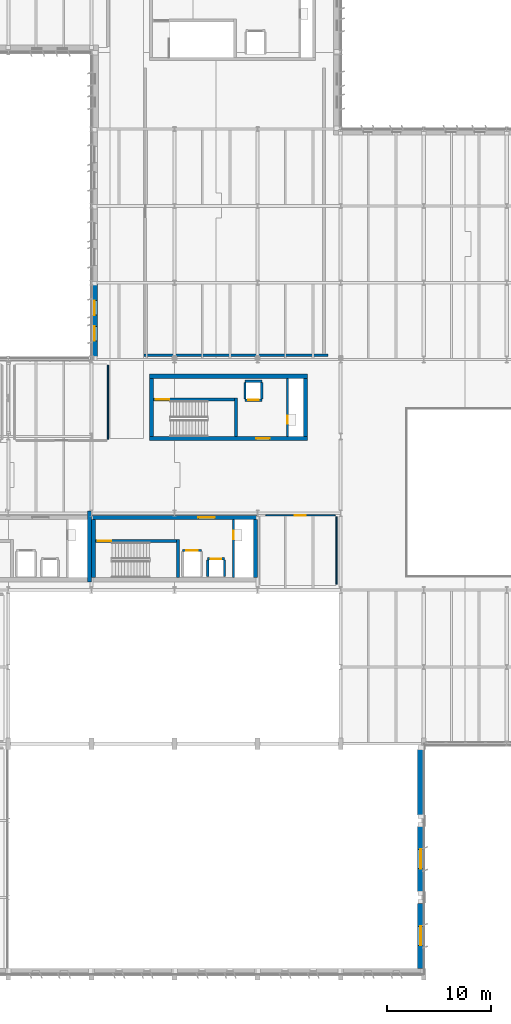
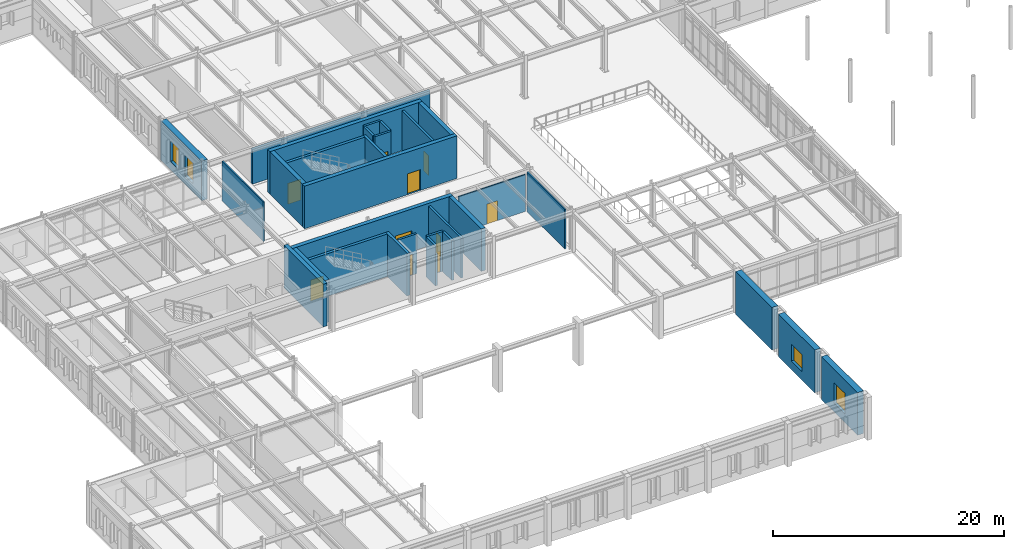
# One storey, part 43 of 75: 30 walls, 10 doors, 4 windows, 14 openings.
"""IFC4 building model written with IfcOpenShell, lengths in metres."""

from ifc_helpers import new_model, si_unit, direction, frame, frame_2d, origin, place, context, subcontext, project, spatial, rectangle, extrude, material, layer, layer_set, type_object, element, fill, save


model = new_model("IFC4")

# Units and contexts
model_context = context("Model", 3, precision=1e-05, world=origin(), true_north=direction((0.0, 1.0)))
body_context = subcontext(model_context, "Body", "Model", "MODEL_VIEW")
ifc_project = project(units=[si_unit("LENGTHUNIT", "METRE"), si_unit("AREAUNIT", "SQUARE_METRE"), si_unit("VOLUMEUNIT", "CUBIC_METRE"), si_unit("PLANEANGLEUNIT", "RADIAN"), si_unit("MASSUNIT", "GRAM", prefix="KILO")], contexts=[model_context])

# Site, building, storey
site_placement = place(None, origin())
site = spatial("IfcSite", under=ifc_project, at=site_placement, CompositionType="ELEMENT")
building_placement = place(site_placement, origin())
building = spatial("IfcBuilding", under=site, at=building_placement, Name="Valkorina Park Police Headquarters", CompositionType="ELEMENT")
storey_placement = place(building_placement, frame((0.0, 0.0, 5.39990234375)))
storey = spatial("IfcBuildingStorey", under=building, at=storey_placement, Name="L02", CompositionType="ELEMENT", Elevation=5.39990234375)

# Wall, opening, door
ifc_material_1 = material(Name="Autoclaved aerated concrete masonry", Category="masonry")
ifc_layer_1 = layer(ifc_material_1, 0.219970703125)
ifc_layer_set_1 = layer_set([ifc_layer_1], Name="Autoclaved aerated concrete masonry")
wall_type_1 = type_object("IfcWallType", Name="WL-CHASE-220-EI60", PredefinedType="PLUMBINGWALL", material=ifc_layer_set_1)
wall_1_placement = place(storey_placement, frame((41.590087890625, 40.81005859375, 0.0), z_axis=(0.0, 0.0, 1.0), x_axis=(1.0, 0.0, 0.0)))
wall_1 = element("IfcWall", 1, at=wall_1_placement, inside=storey, type_object=wall_type_1, Name="Lift LF-02 L02 Shaft Front Wall", PredefinedType="PLUMBINGWALL", context=body_context, shape_type="SweptSolid", body=[
    extrude(rectangle(XDim=1.81982421875, YDim=0.219970703125, at=frame_2d((0.909912109375, 0.0))), origin(), (0.0, 0.0, 1.0), 4.2001953125),
])
opening_1_placement = place(wall_1_placement, frame((0.360107421875, 0.0, 0.0)))
opening_1 = element("IfcOpeningElement", 2, at=opening_1_placement, cuts=wall_1, Name="Opening LD-01", PredefinedType="OPENING", context=body_context, shape_type="SweptSolid", body=[
    extrude(rectangle(XDim=1.10009765625, YDim=2.199951171875, at=frame_2d((0.550048828125, 1.10009765625))), frame((0.0, 0.1201171875, 0.0), z_axis=(0.0, -1.0, 0.0), x_axis=(1.0, 0.0, 0.0)), (0.0, 0.0, 1.0), 0.239990234375),
])
ifc_material_2 = material(Name="Stainless steel EN 1.4404", Category="steel")
ifc_layer_2 = layer(ifc_material_2, 0.050048828125)
ifc_layer_set_2 = layer_set([ifc_layer_2], Name="Stainless steel EN 1.4404")
door_type_1 = type_object("IfcDoorType", Name="DR-LIFT-FF-1100x2200", OperationType="NOTDEFINED", PredefinedType="DOOR", material=ifc_layer_set_2)
door_1_placement = place(opening_1_placement, origin())
door_1 = element("IfcDoor", 3, at=door_1_placement, inside=storey, type_object=door_type_1, Name="Lift Landing Door LF-02-L02", OperationType="DOUBLE_DOOR_SLIDING", OverallHeight=2.199951171875, OverallWidth=1.10009765625, PredefinedType="DOOR", context=body_context, shape_type="SweptSolid", body=[
    extrude(rectangle(XDim=1.10009765625, YDim=2.199951171875, at=frame_2d((0.550048828125, 1.10009765625))), frame((0.0, 0.02490234375, 0.0), z_axis=(0.0, -1.0, 0.0), x_axis=(1.0, 0.0, 0.0)), (0.0, 0.0, 1.0), 0.050048828125),
])
fill(opening_1, door_1)

wall_2_placement = place(storey_placement, frame((43.989990234375, 40.010009765625, 0.0), z_axis=(0.0, 0.0, 1.0), x_axis=(1.0, 0.0, 0.0)))
wall_2 = element("IfcWall", 4, at=wall_2_placement, inside=storey, type_object=wall_type_1, Name="Lift LF-04 L02 Shaft Front Wall", PredefinedType="PLUMBINGWALL", context=body_context, shape_type="SweptSolid", body=[
    extrude(rectangle(XDim=1.6201171875, YDim=0.219970703125, at=frame_2d((0.81005859375, 0.0))), origin(), (0.0, 0.0, 1.0), 4.2001953125),
])
opening_2_placement = place(wall_2_placement, frame((0.31005859375, 0.0, 0.0)))
opening_2 = element("IfcOpeningElement", 5, at=opening_2_placement, cuts=wall_2, Name="Opening LD-02", PredefinedType="OPENING", context=body_context, shape_type="SweptSolid", body=[
    extrude(rectangle(XDim=1.0, YDim=2.199951171875, at=frame_2d((0.5, 1.10009765625))), frame((0.0, 0.1201171875, 0.0), z_axis=(0.0, -1.0, 0.0), x_axis=(1.0, 0.0, 0.0)), (0.0, 0.0, 1.0), 0.239990234375),
])
ifc_layer_3 = layer(ifc_material_2, 0.050048828125)
ifc_layer_set_3 = layer_set([ifc_layer_3], Name="Stainless steel EN 1.4404")
door_type_2 = type_object("IfcDoorType", Name="DR-LIFT-PAX-1000x2200", OperationType="NOTDEFINED", PredefinedType="DOOR", material=ifc_layer_set_3)
door_2_placement = place(opening_2_placement, origin())
door_2 = element("IfcDoor", 6, at=door_2_placement, inside=storey, type_object=door_type_2, Name="Lift Landing Door LF-04-L02", OperationType="DOUBLE_DOOR_SLIDING", OverallHeight=2.199951171875, OverallWidth=1.0, PredefinedType="DOOR", context=body_context, shape_type="SweptSolid", body=[
    extrude(rectangle(XDim=1.0, YDim=2.199951171875, at=frame_2d((0.5, 1.10009765625))), frame((0.0, 0.02490234375, 0.0), z_axis=(0.0, -1.0, 0.0), x_axis=(1.0, 0.0, 0.0)), (0.0, 0.0, 1.0), 0.050048828125),
])
fill(opening_2, door_2)

# Walls
for number, where, z_axis, x_axis, name in (
    (7, (43.989990234375, 38.300048828125, 0.0), (0.0, 0.0, 1.0), (0.0, 1.0, 0.0), "Lift LF-04 L02 Shaft Side Wall W"),
    (8, (45.610107421875, 38.300048828125, 0.0), (0.0, 0.0, 1.0), (0.0, 1.0, 0.0), "Lift LF-04 L02 Shaft Side Wall E"),
):
    element("IfcWall", number, at=place(storey_placement, frame(where, z_axis=z_axis, x_axis=x_axis)), inside=storey, type_object=wall_type_1, Name=name, PredefinedType="PLUMBINGWALL", context=body_context, shape_type="SweptSolid", body=[
        extrude(rectangle(XDim=1.599853515625, YDim=0.219970703125, at=frame_2d((0.7998046875, 0.0))), origin(), (0.0, 0.0, 1.0), 4.2001953125),
    ])

# Wall, opening, door
wall_3_placement = place(storey_placement, frame((46.489990234375, 38.199951171875, 0.0), z_axis=(0.0, 0.0, 1.0), x_axis=(0.0, 1.0, 0.0)))
wall_3 = element("IfcWall", 9, at=wall_3_placement, inside=storey, type_object=wall_type_1, Name="Core C2 L02 Riser Shaft West Wall", PredefinedType="PLUMBINGWALL", context=body_context, shape_type="SweptSolid", body=[
    extrude(rectangle(XDim=5.60009765625, YDim=0.219970703125, at=frame_2d((2.800048828125, 0.0))), origin(), (0.0, 0.0, 1.0), 4.2001953125),
])
opening_3_placement = place(wall_3_placement, frame((3.699951171875, 0.0, 0.0)))
opening_3 = element("IfcOpeningElement", 10, at=opening_3_placement, cuts=wall_3, Name="Opening ID-01", PredefinedType="OPENING", context=body_context, shape_type="SweptSolid", body=[
    extrude(rectangle(XDim=0.800048828125, YDim=2.10009765625, at=frame_2d((0.39990234375, 1.050048828125))), frame((0.0, 0.1201171875, 0.0), z_axis=(0.0, -1.0, 0.0), x_axis=(1.0, 0.0, 0.0)), (0.0, 0.0, 1.0), 0.239990234375),
])
ifc_material_3 = material(Name="Galvanized steel door leaf", Category="steel")
ifc_layer_4 = layer(ifc_material_3, 0.050048828125)
ifc_layer_set_4 = layer_set([ifc_layer_4], Name="Galvanized steel door leaf")
door_type_3 = type_object("IfcDoorType", Name="DR-INT-RISER-800x2100", OperationType="NOTDEFINED", PredefinedType="DOOR", material=ifc_layer_set_4)
door_3_placement = place(opening_3_placement, origin())
door_3 = element("IfcDoor", 11, at=door_3_placement, inside=storey, type_object=door_type_3, Name="Riser Shaft Access Door C2-L02", OperationType="SINGLE_SWING_RIGHT", OverallHeight=2.10009765625, OverallWidth=0.800048828125, PredefinedType="DOOR", context=body_context, shape_type="SweptSolid", body=[
    extrude(rectangle(XDim=0.800048828125, YDim=2.10009765625, at=frame_2d((0.39990234375, 1.050048828125))), frame((0.0, 0.02490234375, 0.0), z_axis=(0.0, -1.0, 0.0), x_axis=(1.0, 0.0, 0.0)), (0.0, 0.0, 1.0), 0.050048828125),
])
fill(opening_3, door_3)

wall_4_placement = place(storey_placement, frame((47.590087890625, 55.2900390625, 0.0), z_axis=(0.0, 0.0, 1.0), x_axis=(1.0, 0.0, 0.0)))
wall_4 = element("IfcWall", 12, at=wall_4_placement, inside=storey, type_object=wall_type_1, Name="Lift LF-05 L02 Shaft Front Wall", PredefinedType="PLUMBINGWALL", context=body_context, shape_type="SweptSolid", body=[
    extrude(rectangle(XDim=1.619873046875, YDim=0.219970703125, at=frame_2d((0.81005859375, 0.0))), origin(), (0.0, 0.0, 1.0), 4.2001953125),
])
opening_4_placement = place(wall_4_placement, frame((0.31005859375, 0.0, 0.0)))
opening_4 = element("IfcOpeningElement", 13, at=opening_4_placement, cuts=wall_4, Name="Opening LD-02", PredefinedType="OPENING", context=body_context, shape_type="SweptSolid", body=[
    extrude(rectangle(XDim=1.0, YDim=2.199951171875, at=frame_2d((0.5, 1.10009765625))), frame((0.0, 0.1201171875, 0.0), z_axis=(0.0, -1.0, 0.0), x_axis=(1.0, 0.0, 0.0)), (0.0, 0.0, 1.0), 0.239990234375),
])
door_4_placement = place(opening_4_placement, origin())
door_4 = element("IfcDoor", 14, at=door_4_placement, inside=storey, type_object=door_type_2, Name="Lift Landing Door LF-05-L02", OperationType="DOUBLE_DOOR_SLIDING", OverallHeight=2.199951171875, OverallWidth=1.0, PredefinedType="DOOR", context=body_context, shape_type="SweptSolid", body=[
    extrude(rectangle(XDim=1.0, YDim=2.199951171875, at=frame_2d((0.5, 1.10009765625))), frame((0.0, 0.02490234375, 0.0), z_axis=(0.0, -1.0, 0.0), x_axis=(1.0, 0.0, 0.0)), (0.0, 0.0, 1.0), 0.050048828125),
])
fill(opening_4, door_4)

# Walls
wall_5_placement = place(storey_placement, frame((47.590087890625, 57.110107421875, 0.0), z_axis=(0.0, 0.0, 1.0), x_axis=(1.0, 0.0, 0.0)))
element("IfcWall", 15, at=wall_5_placement, inside=storey, type_object=wall_type_1, Name="Lift LF-05 L02 Shaft Back Wall", PredefinedType="PLUMBINGWALL", context=body_context, shape_type="SweptSolid", body=[
    extrude(rectangle(XDim=1.619873046875, YDim=0.219970703125, at=frame_2d((0.81005859375, 0.0))), origin(), (0.0, 0.0, 1.0), 4.2001953125),
])
for number, where, z_axis, x_axis, name in (
    (16, (47.590087890625, 55.39990234375, 0.0), (0.0, 0.0, 1.0), (0.0, 1.0, 0.0), "Lift LF-05 L02 Shaft Side Wall W"),
    (17, (49.2099609375, 55.39990234375, 0.0), (0.0, 0.0, 1.0), (0.0, 1.0, 0.0), "Lift LF-05 L02 Shaft Side Wall E"),
):
    element("IfcWall", number, at=place(storey_placement, frame(where, z_axis=z_axis, x_axis=x_axis)), inside=storey, type_object=wall_type_1, Name=name, PredefinedType="PLUMBINGWALL", context=body_context, shape_type="SweptSolid", body=[
        extrude(rectangle(XDim=1.60009765625, YDim=0.219970703125, at=frame_2d((0.800048828125, 0.0))), origin(), (0.0, 0.0, 1.0), 4.2001953125),
    ])

# Wall, opening, door
wall_6_placement = place(storey_placement, frame((51.68994140625, 51.800048828125, 0.0), z_axis=(0.0, 0.0, 1.0), x_axis=(0.0, 1.0, 0.0)))
wall_6 = element("IfcWall", 18, at=wall_6_placement, inside=storey, type_object=wall_type_1, Name="Core C3 L02 Riser Shaft West Wall", PredefinedType="PLUMBINGWALL", context=body_context, shape_type="SweptSolid", body=[
    extrude(rectangle(XDim=5.599853515625, YDim=0.219970703125, at=frame_2d((2.7998046875, 0.0))), origin(), (0.0, 0.0, 1.0), 4.2001953125),
])
opening_5_placement = place(wall_6_placement, frame((1.199951171875, 0.0, 0.0)))
opening_5 = element("IfcOpeningElement", 19, at=opening_5_placement, cuts=wall_6, Name="Opening ID-01", PredefinedType="OPENING", context=body_context, shape_type="SweptSolid", body=[
    extrude(rectangle(XDim=0.800048828125, YDim=2.10009765625, at=frame_2d((0.39990234375, 1.050048828125))), frame((0.0, 0.1201171875, 0.0), z_axis=(0.0, -1.0, 0.0), x_axis=(1.0, 0.0, 0.0)), (0.0, 0.0, 1.0), 0.239990234375),
])
door_5_placement = place(opening_5_placement, origin())
door_5 = element("IfcDoor", 20, at=door_5_placement, inside=storey, type_object=door_type_3, Name="Riser Shaft Access Door C3-L02", OperationType="SINGLE_SWING_RIGHT", OverallHeight=2.10009765625, OverallWidth=0.800048828125, PredefinedType="DOOR", context=body_context, shape_type="SweptSolid", body=[
    extrude(rectangle(XDim=0.800048828125, YDim=2.10009765625, at=frame_2d((0.39990234375, 1.050048828125))), frame((0.0, 0.02490234375, 0.0), z_axis=(0.0, -1.0, 0.0), x_axis=(1.0, 0.0, 0.0)), (0.0, 0.0, 1.0), 0.050048828125),
])
fill(opening_5, door_5)

# Wall
ifc_material_4 = material(Name="Concrete C40/50", Category="concrete")
ifc_layer_5 = layer(ifc_material_4, 0.39990234375)
ifc_layer_set_5 = layer_set([ifc_layer_5], Name="Concrete C40/50")
wall_type_2 = type_object("IfcWallType", Name="WL-CORE-400-REI180", PredefinedType="SHEAR", material=ifc_layer_set_5)
wall_7_placement = place(storey_placement, frame((32.60009765625, 37.800048828125, 0.0), z_axis=(0.0, 0.0, 1.0), x_axis=(0.0, 1.0, 0.0)))
element("IfcWall", 21, at=wall_7_placement, inside=storey, type_object=wall_type_2, Name="Core C1 L02 Shear Wall E", PredefinedType="SHEAR", context=body_context, shape_type="SweptSolid", body=[
    extrude(rectangle(XDim=6.800048828125, YDim=0.39990234375, at=frame_2d((3.39990234375, 0.0))), origin(), (0.0, 0.0, 1.0), 4.4951171875),
])

# Wall, opening, door
wall_8_placement = place(storey_placement, frame((32.800048828125, 44.0, 0.0), z_axis=(0.0, 0.0, 1.0), x_axis=(1.0, 0.0, 0.0)))
wall_8 = element("IfcWall", 22, at=wall_8_placement, inside=storey, type_object=wall_type_2, Name="Core C2 L02 Shear Wall N", PredefinedType="SHEAR", context=body_context, shape_type="SweptSolid", body=[
    extrude(rectangle(XDim=16.0, YDim=0.39990234375, at=frame_2d((8.0, 0.0))), origin(), (0.0, 0.0, 1.0), 4.4951171875),
])
opening_6_placement = place(wall_8_placement, frame((10.300048828125, 0.0, 0.0)))
opening_6 = element("IfcOpeningElement", 23, at=opening_6_placement, cuts=wall_8, Name="Opening FD-04", PredefinedType="OPENING", context=body_context, shape_type="SweptSolid", body=[
    extrude(rectangle(XDim=1.60009765625, YDim=2.199951171875, at=frame_2d((0.800048828125, 1.10009765625))), frame((0.0, 0.2099609375, 0.0), z_axis=(0.0, -1.0, 0.0), x_axis=(1.0, 0.0, 0.0)), (0.0, 0.0, 1.0), 0.419921875),
])
ifc_layer_6 = layer(ifc_material_3, 0.050048828125)
ifc_layer_set_6 = layer_set([ifc_layer_6], Name="Galvanized steel door leaf")
door_type_4 = type_object("IfcDoorType", Name="DR-FIRE-FFL-1600x2200", OperationType="NOTDEFINED", PredefinedType="DOOR", material=ifc_layer_set_6)
door_6_placement = place(opening_6_placement, origin())
door_6 = element("IfcDoor", 24, at=door_6_placement, inside=storey, type_object=door_type_4, Name="Door D-L02-FFL-C2 (Firefighting Lift Lobby Door)", OperationType="DOUBLE_DOOR_SINGLE_SWING", OverallHeight=2.199951171875, OverallWidth=1.60009765625, PredefinedType="DOOR", context=body_context, shape_type="SweptSolid", body=[
    extrude(rectangle(XDim=1.60009765625, YDim=2.199951171875, at=frame_2d((0.800048828125, 1.10009765625))), frame((0.0, 0.02490234375, 0.0), z_axis=(0.0, -1.0, 0.0), x_axis=(1.0, 0.0, 0.0)), (0.0, 0.0, 1.0), 0.050048828125),
])
fill(opening_6, door_6)

# Walls
for number, where, z_axis, x_axis, name in (
    (25, (33.0, 38.199951171875, 0.0), (0.0, 0.0, 1.0), (0.0, 1.0, 0.0), "Core C2 L02 Shear Wall W"),
    (26, (48.60009765625, 38.199951171875, 0.0), (0.0, 0.0, 1.0), (0.0, 1.0, 0.0), "Core C2 L02 Shear Wall E"),
):
    element("IfcWall", number, at=place(storey_placement, frame(where, z_axis=z_axis, x_axis=x_axis)), inside=storey, type_object=wall_type_2, Name=name, PredefinedType="SHEAR", context=body_context, shape_type="SweptSolid", body=[
        extrude(rectangle(XDim=5.60009765625, YDim=0.39990234375, at=frame_2d((2.800048828125, 0.0))), origin(), (0.0, 0.0, 1.0), 4.4951171875),
    ])

# Wall, opening, door
wall_9_placement = place(storey_placement, frame((38.39990234375, 51.60009765625, 0.0), z_axis=(0.0, 0.0, 1.0), x_axis=(1.0, 0.0, 0.0)))
wall_9 = element("IfcWall", 27, at=wall_9_placement, inside=storey, type_object=wall_type_2, Name="Core C3 L02 Shear Wall S", PredefinedType="SHEAR", context=body_context, shape_type="SweptSolid", body=[
    extrude(rectangle(XDim=15.2001953125, YDim=0.39990234375, at=frame_2d((7.60009765625, 0.0))), origin(), (0.0, 0.0, 1.0), 4.4951171875),
])
opening_7_placement = place(wall_9_placement, frame((10.25, 0.0, 0.0)))
opening_7 = element("IfcOpeningElement", 28, at=opening_7_placement, cuts=wall_9, Name="Opening FD-03", PredefinedType="OPENING", context=body_context, shape_type="SweptSolid", body=[
    extrude(rectangle(XDim=1.300048828125, YDim=2.199951171875, at=frame_2d((0.64990234375, 1.10009765625))), frame((0.0, 0.2099609375, 0.0), z_axis=(0.0, -1.0, 0.0), x_axis=(1.0, 0.0, 0.0)), (0.0, 0.0, 1.0), 0.419921875),
])
ifc_layer_7 = layer(ifc_material_3, 0.050048828125)
ifc_layer_set_7 = layer_set([ifc_layer_7], Name="Galvanized steel door leaf")
door_type_5 = type_object("IfcDoorType", Name="DR-FIRE-STAIR-1300x2200", OperationType="NOTDEFINED", PredefinedType="DOOR", material=ifc_layer_set_7)
door_7_placement = place(opening_7_placement, origin())
door_7 = element("IfcDoor", 29, at=door_7_placement, inside=storey, type_object=door_type_5, Name="Door D-L02-LBY-C3 (Core C3 Lobby Fire Door)", OperationType="SINGLE_SWING_LEFT", OverallHeight=2.199951171875, OverallWidth=1.300048828125, PredefinedType="DOOR", context=body_context, shape_type="SweptSolid", body=[
    extrude(rectangle(XDim=1.300048828125, YDim=2.199951171875, at=frame_2d((0.64990234375, 1.10009765625))), frame((0.0, 0.02490234375, 0.0), z_axis=(0.0, -1.0, 0.0), x_axis=(1.0, 0.0, 0.0)), (0.0, 0.0, 1.0), 0.050048828125),
])
fill(opening_7, door_7)

# Walls
wall_10_placement = place(storey_placement, frame((38.39990234375, 57.60009765625, 0.0), z_axis=(0.0, 0.0, 1.0), x_axis=(1.0, 0.0, 0.0)))
element("IfcWall", 30, at=wall_10_placement, inside=storey, type_object=wall_type_2, Name="Core C3 L02 Shear Wall N", PredefinedType="SHEAR", context=body_context, shape_type="SweptSolid", body=[
    extrude(rectangle(XDim=15.2001953125, YDim=0.39990234375, at=frame_2d((7.60009765625, 0.0))), origin(), (0.0, 0.0, 1.0), 4.4951171875),
])
for number, where, z_axis, x_axis, name in (
    (31, (38.60009765625, 51.800048828125, 0.0), (0.0, 0.0, 1.0), (0.0, 1.0, 0.0), "Core C3 L02 Shear Wall W"),
    (32, (53.39990234375, 51.800048828125, 0.0), (0.0, 0.0, 1.0), (0.0, 1.0, 0.0), "Core C3 L02 Shear Wall E"),
):
    element("IfcWall", number, at=place(storey_placement, frame(where, z_axis=z_axis, x_axis=x_axis)), inside=storey, type_object=wall_type_2, Name=name, PredefinedType="SHEAR", context=body_context, shape_type="SweptSolid", body=[
        extrude(rectangle(XDim=5.599853515625, YDim=0.39990234375, at=frame_2d((2.7998046875, 0.0))), origin(), (0.0, 0.0, 1.0), 4.4951171875),
    ])
ifc_layer_8 = layer(ifc_material_4, 0.25)
ifc_layer_set_8 = layer_set([ifc_layer_8], Name="Concrete C40/50")
wall_type_3 = type_object("IfcWallType", Name="WL-CUST-250-REI120", PredefinedType="SOLIDWALL", material=ifc_layer_set_8)
wall_11_placement = place(storey_placement, frame((37.875, 59.60009765625, 0.0), z_axis=(0.0, 0.0, 1.0), x_axis=(1.0, 0.0, 0.0)))
element("IfcWall", 33, at=wall_11_placement, inside=storey, type_object=wall_type_3, Name="L02 Interior Partition 0138 (L02-CUS-MED)", PredefinedType="SOLIDWALL", context=body_context, shape_type="SweptSolid", body=[
    extrude(rectangle(XDim=17.715087890625, YDim=0.25, at=frame_2d((8.857421875, 0.0))), origin(), (0.0, 0.0, 1.0), 3.66015625),
])

# Wall, openings, windows
ifc_material_5 = material(Name="Concrete C35/45", Category="concrete")
ifc_layer_9 = layer(ifc_material_5, 0.580078125)
ifc_layer_set_9 = layer_set([ifc_layer_9], Name="Concrete C35/45")
wall_type_4 = type_object("IfcWallType", Name="WL-EXT-BOARD-580", PredefinedType="STANDARD", material=ifc_layer_set_9)
wall_12_placement = place(storey_placement, frame((33.090087890625, 59.510009765625, 0.0), z_axis=(0.0, 0.0, 1.0), x_axis=(0.0, 1.0, 0.0)))
wall_12 = element("IfcWall", 34, at=wall_12_placement, inside=storey, type_object=wall_type_4, Name="L02 Architectural Concrete Exterior Wall 0113", PredefinedType="STANDARD", context=body_context, shape_type="SweptSolid", body=[
    extrude(rectangle(XDim=7.090087890625, YDim=0.580078125, at=frame_2d((3.544921875, 0.0))), origin(), (0.0, 0.0, 1.0), 4.170166015625),
])
opening_8_placement = place(wall_12_placement, frame((1.49365234375, 0.0, 0.89990234375)))
opening_8 = element("IfcOpeningElement", 35, at=opening_8_placement, cuts=wall_12, Name="Opening WN-25", PredefinedType="OPENING", context=body_context, shape_type="SweptSolid", body=[
    extrude(rectangle(XDim=1.39990234375, YDim=2.14990234375, at=frame_2d((0.699951171875, 1.074951171875))), frame((0.0, 0.300048828125, 0.0), z_axis=(0.0, -1.0, 0.0), x_axis=(1.0, 0.0, 0.0)), (0.0, 0.0, 1.0), 0.60009765625),
])
opening_9_placement = place(wall_12_placement, frame((3.96142578125, 0.0, 0.89990234375)))
opening_9 = element("IfcOpeningElement", 36, at=opening_9_placement, cuts=wall_12, Name="Opening WN-25", PredefinedType="OPENING", context=body_context, shape_type="SweptSolid", body=[
    extrude(rectangle(XDim=1.39990234375, YDim=2.14990234375, at=frame_2d((0.699951171875, 1.074951171875))), frame((0.0, 0.300048828125, 0.0), z_axis=(0.0, -1.0, 0.0), x_axis=(1.0, 0.0, 0.0)), (0.0, 0.0, 1.0), 0.60009765625),
])
ifc_material_6 = material(Name="Triple low-E insulated glazing", Category="glass")
ifc_layer_10 = layer(ifc_material_6, 0.06005859375)
ifc_layer_set_10 = layer_set([ifc_layer_10], Name="Triple low-E insulated glazing")
window_type_1 = type_object("IfcWindowType", Name="WN-LAB-1400x2150", PartitioningType="SINGLE_PANEL", PredefinedType="WINDOW", material=ifc_layer_set_10)
window_1_placement = place(opening_8_placement, origin())
window_1 = element("IfcWindow", 37, at=window_1_placement, inside=storey, type_object=window_type_1, Name="Window L02-0178", OverallHeight=2.14990234375, OverallWidth=1.39990234375, PartitioningType="SINGLE_PANEL", PredefinedType="WINDOW", context=body_context, shape_type="SweptSolid", body=[
    extrude(rectangle(XDim=1.39990234375, YDim=2.14990234375, at=frame_2d((0.699951171875, 1.074951171875))), frame((0.0, 0.030029296875, 0.0), z_axis=(0.0, -1.0, 0.0), x_axis=(1.0, 0.0, 0.0)), (0.0, 0.0, 1.0), 0.06005859375),
])
fill(opening_8, window_1)
window_2_placement = place(opening_9_placement, origin())
window_2 = element("IfcWindow", 38, at=window_2_placement, inside=storey, type_object=window_type_1, Name="Window L02-0179", OverallHeight=2.14990234375, OverallWidth=1.39990234375, PartitioningType="SINGLE_PANEL", PredefinedType="WINDOW", context=body_context, shape_type="SweptSolid", body=[
    extrude(rectangle(XDim=1.39990234375, YDim=2.14990234375, at=frame_2d((0.699951171875, 1.074951171875))), frame((0.0, 0.030029296875, 0.0), z_axis=(0.0, -1.0, 0.0), x_axis=(1.0, 0.0, 0.0)), (0.0, 0.0, 1.0), 0.06005859375),
])
fill(opening_9, window_2)

# Wall
wall_13_placement = place(storey_placement, frame((64.510009765625, 21.639892578125, 0.0), z_axis=(0.0, 0.0, 1.0), x_axis=(0.0, -1.0, 0.0)))
element("IfcWall", 39, at=wall_13_placement, inside=storey, type_object=wall_type_4, Name="L02 Architectural Concrete Exterior Wall 0183", PredefinedType="STANDARD", context=body_context, shape_type="SweptSolid", body=[
    extrude(rectangle(XDim=6.27978515625, YDim=0.580078125, at=frame_2d((3.139892578125, 0.0))), origin(), (0.0, 0.0, 1.0), 4.5),
])

# Wall, opening, window
wall_14_placement = place(storey_placement, frame((64.510009765625, 14.239990234375, 0.0), z_axis=(0.0, 0.0, 1.0), x_axis=(0.0, -1.0, 0.0)))
wall_14 = element("IfcWall", 40, at=wall_14_placement, inside=storey, type_object=wall_type_4, Name="L02 Architectural Concrete Exterior Wall 0184", PredefinedType="STANDARD", context=body_context, shape_type="SweptSolid", body=[
    extrude(rectangle(XDim=6.280029296875, YDim=0.580078125, at=frame_2d((3.14013671875, 0.0))), origin(), (0.0, 0.0, 1.0), 4.5),
])
opening_10_placement = place(wall_14_placement, frame((2.215087890625, 0.0, 0.89990234375)))
opening_10 = element("IfcOpeningElement", 41, at=opening_10_placement, cuts=wall_14, Name="Opening WN-29", PredefinedType="OPENING", context=body_context, shape_type="SweptSolid", body=[
    extrude(rectangle(XDim=1.85009765625, YDim=1.800048828125, at=frame_2d((0.925048828125, 0.89990234375))), frame((0.0, 0.300048828125, 0.0), z_axis=(0.0, -1.0, 0.0), x_axis=(1.0, 0.0, 0.0)), (0.0, 0.0, 1.0), 0.60009765625),
])
ifc_layer_11 = layer(ifc_material_6, 0.06005859375)
ifc_layer_set_11 = layer_set([ifc_layer_11], Name="Triple low-E insulated glazing")
window_type_2 = type_object("IfcWindowType", Name="WN-OFF-1850x1800", PartitioningType="SINGLE_PANEL", PredefinedType="WINDOW", material=ifc_layer_set_11)
window_3_placement = place(opening_10_placement, origin())
window_3 = element("IfcWindow", 42, at=window_3_placement, inside=storey, type_object=window_type_2, Name="Window L02-0307", OverallHeight=1.800048828125, OverallWidth=1.85009765625, PartitioningType="SINGLE_PANEL", PredefinedType="WINDOW", context=body_context, shape_type="SweptSolid", body=[
    extrude(rectangle(XDim=1.85009765625, YDim=1.800048828125, at=frame_2d((0.925048828125, 0.89990234375))), frame((0.0, 0.030029296875, 0.0), z_axis=(0.0, -1.0, 0.0), x_axis=(1.0, 0.0, 0.0)), (0.0, 0.0, 1.0), 0.06005859375),
])
fill(opening_10, window_3)

wall_15_placement = place(storey_placement, frame((64.510009765625, 6.840087890625, 0.0), z_axis=(0.0, 0.0, 1.0), x_axis=(0.0, -1.0, 0.0)))
wall_15 = element("IfcWall", 43, at=wall_15_placement, inside=storey, type_object=wall_type_4, Name="L02 Architectural Concrete Exterior Wall 0185", PredefinedType="STANDARD", context=body_context, shape_type="SweptSolid", body=[
    extrude(rectangle(XDim=6.280029296875, YDim=0.580078125, at=frame_2d((3.14013671875, 0.0))), origin(), (0.0, 0.0, 1.0), 4.5),
])
opening_11_placement = place(wall_15_placement, frame((2.215087890625, 0.0, 0.89990234375)))
opening_11 = element("IfcOpeningElement", 44, at=opening_11_placement, cuts=wall_15, Name="Opening WN-30", PredefinedType="OPENING", context=body_context, shape_type="SweptSolid", body=[
    extrude(rectangle(XDim=1.85009765625, YDim=2.199951171875, at=frame_2d((0.925048828125, 1.10009765625))), frame((0.0, 0.300048828125, 0.0), z_axis=(0.0, -1.0, 0.0), x_axis=(1.0, 0.0, 0.0)), (0.0, 0.0, 1.0), 0.60009765625),
])
ifc_layer_12 = layer(ifc_material_6, 0.06005859375)
ifc_layer_set_12 = layer_set([ifc_layer_12], Name="Triple low-E insulated glazing")
window_type_3 = type_object("IfcWindowType", Name="WN-OFF-1850x2200", PartitioningType="SINGLE_PANEL", PredefinedType="WINDOW", material=ifc_layer_set_12)
window_4_placement = place(opening_11_placement, origin())
window_4 = element("IfcWindow", 45, at=window_4_placement, inside=storey, type_object=window_type_3, Name="Window L02-0308", OverallHeight=2.199951171875, OverallWidth=1.85009765625, PartitioningType="SINGLE_PANEL", PredefinedType="WINDOW", context=body_context, shape_type="SweptSolid", body=[
    extrude(rectangle(XDim=1.85009765625, YDim=2.199951171875, at=frame_2d((0.925048828125, 1.10009765625))), frame((0.0, 0.030029296875, 0.0), z_axis=(0.0, -1.0, 0.0), x_axis=(1.0, 0.0, 0.0)), (0.0, 0.0, 1.0), 0.06005859375),
])
fill(opening_11, window_4)

# Wall
ifc_material_7 = material(Name="Gypsum plasterboard")
ifc_layer_13 = layer(ifc_material_7, 0.125)
ifc_layer_set_13 = layer_set([ifc_layer_13], Name="Gypsum plasterboard")
wall_type_5 = type_object("IfcWallType", Name="WL-PART-125-EI30", PredefinedType="PARTITIONING", material=ifc_layer_set_13)
wall_16_placement = place(storey_placement, frame((34.39990234375, 51.5400390625, 0.0), z_axis=(0.0, 0.0, 1.0), x_axis=(0.0, 1.0, 0.0)))
element("IfcWall", 46, at=wall_16_placement, inside=storey, type_object=wall_type_5, Name="L02 Interior Partition 0123 (L02-OPS-02)", PredefinedType="PARTITIONING", context=body_context, shape_type="SweptSolid", body=[
    extrude(rectangle(XDim=7.119873046875, YDim=0.125, at=frame_2d((3.56005859375, 0.0))), origin(), (0.0, 0.0, 1.0), 4.170166015625),
])

# Wall, opening, door
wall_17_placement = place(storey_placement, frame((49.590087890625, 44.199951171875, 0.0), z_axis=(0.0, 0.0, 1.0), x_axis=(1.0, 0.0, 0.0)))
wall_17 = element("IfcWall", 47, at=wall_17_placement, inside=storey, type_object=wall_type_5, Name="L02 Interior Partition 0127 (L02-WC-A)", PredefinedType="PARTITIONING", context=body_context, shape_type="SweptSolid", body=[
    extrude(rectangle(XDim=6.669921875, YDim=0.125, at=frame_2d((3.3349609375, 0.0))), origin(), (0.0, 0.0, 1.0), 3.860107421875),
])
opening_12_placement = place(wall_17_placement, frame((2.81005859375, 0.0, 0.0)))
opening_12 = element("IfcOpeningElement", 48, at=opening_12_placement, cuts=wall_17, Name="Opening ID-03", PredefinedType="OPENING", context=body_context, shape_type="SweptSolid", body=[
    extrude(rectangle(XDim=1.050048828125, YDim=2.10009765625, at=frame_2d((0.52490234375, 1.050048828125))), frame((0.0, 0.072509765625, 0.0), z_axis=(0.0, -1.0, 0.0), x_axis=(1.0, 0.0, 0.0)), (0.0, 0.0, 1.0), 0.14501953125),
])
ifc_material_8 = material(Name="Thermally broken aluminium AW-6060", Category="aluminium")
ifc_layer_14 = layer(ifc_material_8, 0.050048828125)
ifc_layer_set_14 = layer_set([ifc_layer_14], Name="Thermally broken aluminium AW-6060")
door_type_6 = type_object("IfcDoorType", Name="DR-INT-ACC-1050x2100", OperationType="NOTDEFINED", PredefinedType="DOOR", material=ifc_layer_set_14)
door_8_placement = place(opening_12_placement, origin())
door_8 = element("IfcDoor", 49, at=door_8_placement, inside=storey, type_object=door_type_6, Name="Door D-L02-I058 (L02-WC-A)", OperationType="SINGLE_SWING_LEFT", OverallHeight=2.10009765625, OverallWidth=1.050048828125, PredefinedType="DOOR", context=body_context, shape_type="SweptSolid", body=[
    extrude(rectangle(XDim=1.050048828125, YDim=2.10009765625, at=frame_2d((0.52490234375, 1.050048828125))), frame((0.0, 0.02490234375, 0.0), z_axis=(0.0, -1.0, 0.0), x_axis=(1.0, 0.0, 0.0)), (0.0, 0.0, 1.0), 0.050048828125),
])
fill(opening_12, door_8)

# Walls
wall_18_placement = place(storey_placement, frame((56.39990234375, 37.5400390625, 0.0), z_axis=(0.0, 0.0, 1.0), x_axis=(0.0, 1.0, 0.0)))
element("IfcWall", 50, at=wall_18_placement, inside=storey, type_object=wall_type_5, Name="L02 Interior Partition 0128 (L02-WC-A)", PredefinedType="PARTITIONING", context=body_context, shape_type="SweptSolid", body=[
    extrude(rectangle(XDim=6.52001953125, YDim=0.125, at=frame_2d((3.260009765625, 0.0))), origin(), (0.0, 0.0, 1.0), 4.170166015625),
])
ifc_layer_15 = layer(ifc_material_4, 0.280029296875)
ifc_layer_set_15 = layer_set([ifc_layer_15], Name="Concrete C40/50")
wall_type_6 = type_object("IfcWallType", Name="WL-STAIR-280-REI120", PredefinedType="SHEAR", material=ifc_layer_set_15)
wall_19_placement = place(storey_placement, frame((41.139892578125, 38.199951171875, 0.0), z_axis=(0.0, 0.0, 1.0), x_axis=(0.0, 1.0, 0.0)))
element("IfcWall", 51, at=wall_19_placement, inside=storey, type_object=wall_type_6, Name="Core C2 L02 Shear Wall DIV", PredefinedType="SHEAR", context=body_context, shape_type="SweptSolid", body=[
    extrude(rectangle(XDim=3.679931640625, YDim=0.280029296875, at=frame_2d((1.83984375, 0.0))), origin(), (0.0, 0.0, 1.0), 4.4951171875),
])

# Wall, opening, door
wall_20_placement = place(storey_placement, frame((33.199951171875, 41.739990234375, 0.0), z_axis=(0.0, 0.0, 1.0), x_axis=(1.0, 0.0, 0.0)))
wall_20 = element("IfcWall", 52, at=wall_20_placement, inside=storey, type_object=wall_type_6, Name="Core C2 L02 Shear Wall SIDE", PredefinedType="SHEAR", context=body_context, shape_type="SweptSolid", body=[
    extrude(rectangle(XDim=7.800048828125, YDim=0.280029296875, at=frame_2d((3.89990234375, 0.0))), origin(), (0.0, 0.0, 1.0), 4.4951171875),
])
opening_13_placement = place(wall_20_placement, frame((0.199951171875, 0.0, 0.0)))
opening_13 = element("IfcOpeningElement", 53, at=opening_13_placement, cuts=wall_20, Name="Opening FD-03", PredefinedType="OPENING", context=body_context, shape_type="SweptSolid", body=[
    extrude(rectangle(XDim=1.300048828125, YDim=2.199951171875, at=frame_2d((0.64990234375, 1.10009765625))), frame((0.0, 0.14990234375, 0.0), z_axis=(0.0, -1.0, 0.0), x_axis=(1.0, 0.0, 0.0)), (0.0, 0.0, 1.0), 0.300048828125),
])
door_9_placement = place(opening_13_placement, origin())
door_9 = element("IfcDoor", 54, at=door_9_placement, inside=storey, type_object=door_type_5, Name="Door D-L02-C056 (ST-02 Stair Fire Door)", OperationType="SINGLE_SWING_LEFT", OverallHeight=2.199951171875, OverallWidth=1.300048828125, PredefinedType="DOOR", context=body_context, shape_type="SweptSolid", body=[
    extrude(rectangle(XDim=1.300048828125, YDim=2.199951171875, at=frame_2d((0.64990234375, 1.10009765625))), frame((0.0, 0.02490234375, 0.0), z_axis=(0.0, -1.0, 0.0), x_axis=(1.0, 0.0, 0.0)), (0.0, 0.0, 1.0), 0.050048828125),
])
fill(opening_13, door_9)

# Wall
wall_21_placement = place(storey_placement, frame((46.739990234375, 51.800048828125, 0.0), z_axis=(0.0, 0.0, 1.0), x_axis=(0.0, 1.0, 0.0)))
element("IfcWall", 55, at=wall_21_placement, inside=storey, type_object=wall_type_6, Name="Core C3 L02 Shear Wall DIV", PredefinedType="SHEAR", context=body_context, shape_type="SweptSolid", body=[
    extrude(rectangle(XDim=3.679931640625, YDim=0.280029296875, at=frame_2d((1.83984375, 0.0))), origin(), (0.0, 0.0, 1.0), 4.4951171875),
])

# Wall, opening, door
wall_22_placement = place(storey_placement, frame((38.800048828125, 55.340087890625, 0.0), z_axis=(0.0, 0.0, 1.0), x_axis=(1.0, 0.0, 0.0)))
wall_22 = element("IfcWall", 56, at=wall_22_placement, inside=storey, type_object=wall_type_6, Name="Core C3 L02 Shear Wall SIDE", PredefinedType="SHEAR", context=body_context, shape_type="SweptSolid", body=[
    extrude(rectangle(XDim=7.800048828125, YDim=0.280029296875, at=frame_2d((3.89990234375, 0.0))), origin(), (0.0, 0.0, 1.0), 4.4951171875),
])
opening_14_placement = place(wall_22_placement, frame((0.199951171875, 0.0, 0.0)))
opening_14 = element("IfcOpeningElement", 57, at=opening_14_placement, cuts=wall_22, Name="Opening FD-03", PredefinedType="OPENING", context=body_context, shape_type="SweptSolid", body=[
    extrude(rectangle(XDim=1.300048828125, YDim=2.199951171875, at=frame_2d((0.64990234375, 1.10009765625))), frame((0.0, 0.14990234375, 0.0), z_axis=(0.0, -1.0, 0.0), x_axis=(1.0, 0.0, 0.0)), (0.0, 0.0, 1.0), 0.300048828125),
])
door_10_placement = place(opening_14_placement, origin())
door_10 = element("IfcDoor", 58, at=door_10_placement, inside=storey, type_object=door_type_5, Name="Door D-L02-C099 (ST-03 Stair Fire Door)", OperationType="SINGLE_SWING_RIGHT", OverallHeight=2.199951171875, OverallWidth=1.300048828125, PredefinedType="DOOR", context=body_context, shape_type="SweptSolid", body=[
    extrude(rectangle(XDim=1.300048828125, YDim=2.199951171875, at=frame_2d((0.64990234375, 1.10009765625))), frame((0.0, 0.02490234375, 0.0), z_axis=(0.0, -1.0, 0.0), x_axis=(1.0, 0.0, 0.0)), (0.0, 0.0, 1.0), 0.050048828125),
])
fill(opening_14, door_10)

save(model, "model.ifc")
